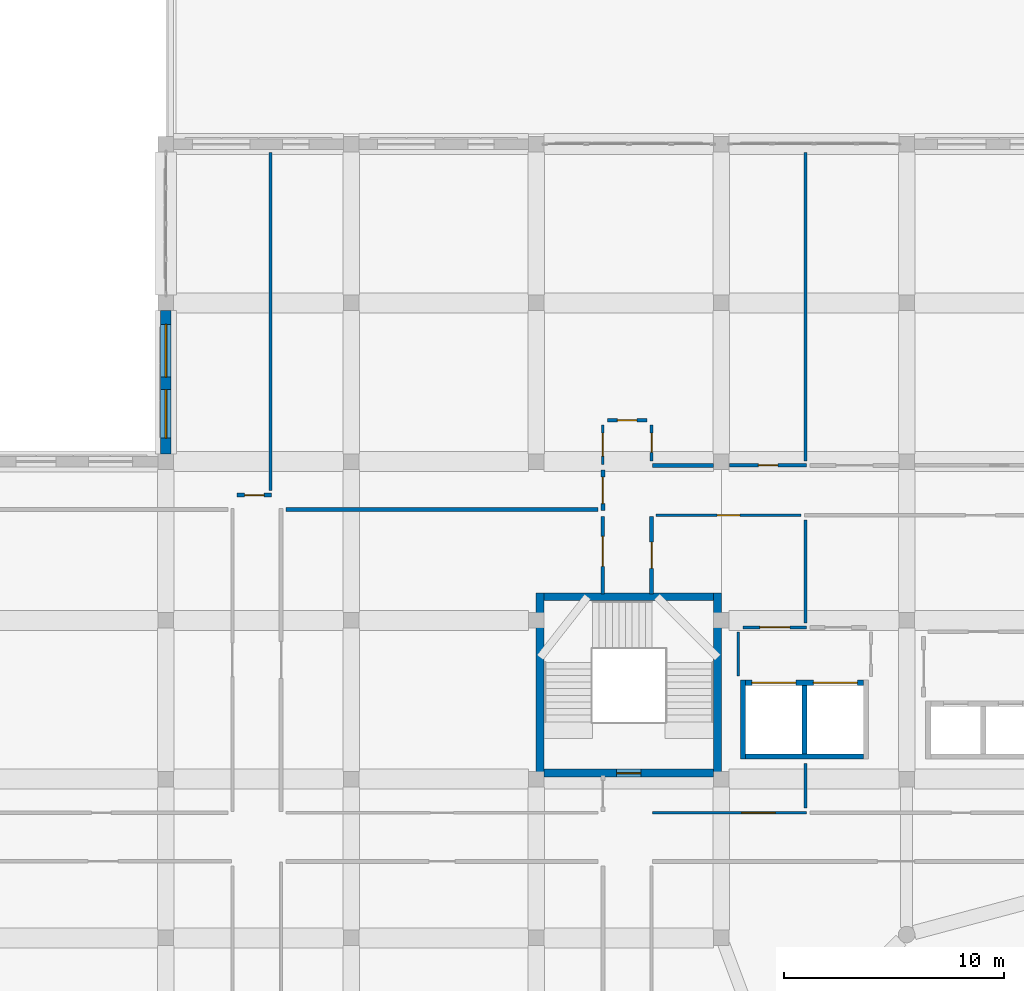
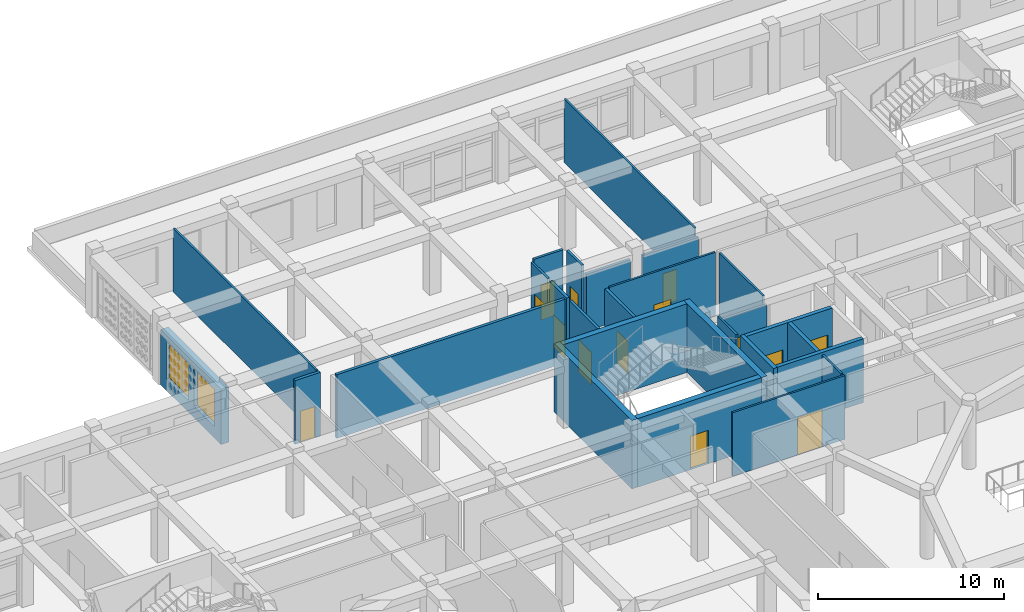
# One storey, part 62 of 100: 27 walls, 14 doors, 2 windows, 16 openings.
"""IFC4 building model written with IfcOpenShell, lengths in metres."""

from ifc_helpers import new_model, si_unit, derived_unit, direction, frame, frame_2d, origin, place, context, subcontext, project, spatial, rectangle, extrude, material, layer, layer_set, type_object, element, fill, save


model = new_model("IFC4")

# Units and contexts
model_context = context("Model", 3, precision=1e-05, world=origin(), true_north=direction((0.0, 1.0)))
body_context = subcontext(model_context, "Body", "Model", "MODEL_VIEW")
ifc_project = project(units=[si_unit("LENGTHUNIT", "METRE"), si_unit("AREAUNIT", "SQUARE_METRE"), si_unit("VOLUMEUNIT", "CUBIC_METRE"), si_unit("PLANEANGLEUNIT", "RADIAN"), si_unit("MASSUNIT", "GRAM", prefix="KILO"), derived_unit("THERMALTRANSMITTANCEUNIT", [(si_unit("POWERUNIT", "WATT"), 1), (si_unit("LENGTHUNIT", "METRE"), -2), (si_unit("THERMODYNAMICTEMPERATUREUNIT", "KELVIN"), -1)])], contexts=[model_context])

# Site, building, storey
site_placement = place(None, origin())
site = spatial("IfcSite", under=ifc_project, at=site_placement, CompositionType="ELEMENT")
building_placement = place(site_placement, origin())
building = spatial("IfcBuilding", under=site, at=building_placement, Name="Veybourne Emporium", CompositionType="ELEMENT")
storey_placement = place(building_placement, frame((0.0, 0.0, 14.39990234375)))
storey = spatial("IfcBuildingStorey", under=building, at=storey_placement, Name="L03", CompositionType="ELEMENT", Elevation=14.39990234375)

# Wall, openings, windows
ifc_material_1 = material(Name="Portland Limestone Ashlar", Category="masonry")
ifc_layer_1 = layer(ifc_material_1, 0.47998046875)
ifc_layer_set_1 = layer_set([ifc_layer_1], Name="Portland Limestone Ashlar")
wall_type_1 = type_object("IfcWallType", Name="ExtWall_EW-01", PredefinedType="SOLIDWALL", material=ifc_layer_set_1)
wall_1_placement = place(storey_placement, frame((33.60009765625, 86.75, 0.0), z_axis=(0.0, 0.0, 1.0), x_axis=(0.0, 1.0, 0.0)))
wall_1 = element("IfcWall", 1, at=wall_1_placement, inside=storey, type_object=wall_type_1, Name="L03 Portland stone external wall 022", PredefinedType="SOLIDWALL", context=body_context, shape_type="SweptSolid", body=[
    extrude(rectangle(XDim=6.5, YDim=0.47998046875, at=frame_2d((3.25, 0.0))), origin(), (0.0, 0.0, 1.0), 3.630126953125),
])
opening_1_placement = place(wall_1_placement, frame((0.719970703125, 0.0, 0.75)))
opening_1 = element("IfcOpeningElement", 2, at=opening_1_placement, cuts=wall_1, Name="Opening W-30", PredefinedType="OPENING", context=body_context, shape_type="SweptSolid", body=[
    extrude(rectangle(XDim=2.199951171875, YDim=2.43994140625, at=frame_2d((1.10009765625, 1.219970703125))), frame((0.0, 0.260009765625, 0.0), z_axis=(0.0, -1.0, 0.0), x_axis=(1.0, 0.0, 0.0)), (0.0, 0.0, 1.0), 0.52001953125),
])
opening_2_placement = place(wall_1_placement, frame((3.47998046875, 0.0, 0.75)))
opening_2 = element("IfcOpeningElement", 3, at=opening_2_placement, cuts=wall_1, Name="Opening W-31", PredefinedType="OPENING", context=body_context, shape_type="SweptSolid", body=[
    extrude(rectangle(XDim=2.39990234375, YDim=2.43994140625, at=frame_2d((1.199951171875, 1.219970703125))), frame((0.0, 0.260009765625, 0.0), z_axis=(0.0, -1.0, 0.0), x_axis=(1.0, 0.0, 0.0)), (0.0, 0.0, 1.0), 0.52001953125),
])
ifc_material_2 = material(Name="Low-E Triple Glazing", Category="glass")
window_type_1 = type_object("IfcWindowType", Name="Win_W-30", PartitioningType="TRIPLE_PANEL_VERTICAL", PredefinedType="WINDOW", material=ifc_material_2)
window_1_placement = place(opening_1_placement, origin())
window_1 = element("IfcWindow", 4, at=window_1_placement, inside=storey, type_object=window_type_1, Name="L03 tripartite bronze casement window W-30 (22.1)", OverallHeight=2.43994140625, OverallWidth=2.199951171875, PartitioningType="TRIPLE_PANEL_VERTICAL", PredefinedType="WINDOW", context=body_context, shape_type="SweptSolid", body=[
    extrude(rectangle(XDim=2.199951171875, YDim=2.43994140625, at=frame_2d((1.10009765625, 1.219970703125))), frame((0.0, 0.030029296875, 0.0), z_axis=(0.0, -1.0, 0.0), x_axis=(1.0, 0.0, 0.0)), (0.0, 0.0, 1.0), 0.06005859375),
])
fill(opening_1, window_1)
window_type_2 = type_object("IfcWindowType", Name="Win_W-31", PartitioningType="TRIPLE_PANEL_VERTICAL", PredefinedType="WINDOW", material=ifc_material_2)
window_2_placement = place(opening_2_placement, origin())
window_2 = element("IfcWindow", 5, at=window_2_placement, inside=storey, type_object=window_type_2, Name="L03 tripartite bronze casement window W-31 (22.2)", OverallHeight=2.43994140625, OverallWidth=2.39990234375, PartitioningType="TRIPLE_PANEL_VERTICAL", PredefinedType="WINDOW", context=body_context, shape_type="SweptSolid", body=[
    extrude(rectangle(XDim=2.39990234375, YDim=2.43994140625, at=frame_2d((1.199951171875, 1.219970703125))), frame((0.0, 0.030029296875, 0.0), z_axis=(0.0, -1.0, 0.0), x_axis=(1.0, 0.0, 0.0)), (0.0, 0.0, 1.0), 0.06005859375),
])
fill(opening_2, window_2)

# Wall, opening, door
ifc_material_3 = material(Name="Concrete C40/50", Category="concrete")
ifc_layer_2 = layer(ifc_material_3, 0.35009765625)
ifc_layer_set_2 = layer_set([ifc_layer_2], Name="Concrete C40/50")
wall_type_2 = type_object("IfcWallType", Name="IntWall_CW-02", PredefinedType="SHEAR", material=ifc_layer_set_2)
wall_2_placement = place(storey_placement, frame((58.449951171875, 72.27490234375, 0.0), z_axis=(0.0, 0.0, 1.0), x_axis=(-1.0, 0.0, 0.0)))
wall_2 = element("IfcWall", 6, at=wall_2_placement, inside=storey, type_object=wall_type_2, Name="Core stair ST-03 south shear wall (L03)", PredefinedType="SHEAR", context=body_context, shape_type="SweptSolid", body=[
    extrude(rectangle(XDim=7.699951171875, YDim=0.35009765625, at=frame_2d((3.85009765625, 0.0))), origin(), (0.0, 0.0, 1.0), 4.5),
])
opening_3_placement = place(wall_2_placement, frame((3.300048828125, 0.0, 0.0)))
opening_3 = element("IfcOpeningElement", 7, at=opening_3_placement, cuts=wall_2, Name="Opening FD-01", PredefinedType="OPENING", context=body_context, shape_type="SweptSolid", body=[
    extrude(rectangle(XDim=1.10009765625, YDim=2.199951171875, at=frame_2d((0.550048828125, 1.10009765625))), frame((0.0, 0.195068359375, 0.0), z_axis=(0.0, -1.0, 0.0), x_axis=(1.0, 0.0, 0.0)), (0.0, 0.0, 1.0), 0.39013671875),
])
ifc_material_4 = material(Name="Patinated Architectural Bronze", Category="bronze")
door_type_1 = type_object("IfcDoorType", Name="FireDoor_FD-01", OperationType="NOTDEFINED", PredefinedType="DOOR", material=ifc_material_4)
door_1_placement = place(opening_3_placement, origin())
door_1 = element("IfcDoor", 8, at=door_1_placement, inside=storey, type_object=door_type_1, Name="Stair ST-03 fire door (L03)", OperationType="SINGLE_SWING_RIGHT", OverallHeight=2.199951171875, OverallWidth=1.10009765625, PredefinedType="DOOR", context=body_context, shape_type="SweptSolid", body=[
    extrude(rectangle(XDim=1.10009765625, YDim=2.199951171875, at=frame_2d((0.550048828125, 1.10009765625))), frame((0.0, 0.02490234375, 0.0), z_axis=(0.0, -1.0, 0.0), x_axis=(1.0, 0.0, 0.0)), (0.0, 0.0, 1.0), 0.050048828125),
])
fill(opening_3, door_1)

# Walls
wall_3_placement = place(storey_placement, frame((50.75, 80.27490234375, 0.0), z_axis=(0.0, 0.0, 1.0), x_axis=(1.0, 0.0, 0.0)))
element("IfcWall", 9, at=wall_3_placement, inside=storey, type_object=wall_type_2, Name="Core stair ST-03 north shear wall (L03)", PredefinedType="SHEAR", context=body_context, shape_type="SweptSolid", body=[
    extrude(rectangle(XDim=7.699951171875, YDim=0.35009765625, at=frame_2d((3.85009765625, 0.0))), origin(), (0.0, 0.0, 1.0), 4.5),
])
for number, where, z_axis, x_axis, name in (
    (10, (50.574951171875, 80.449951171875, 0.0), (0.0, 0.0, 1.0), (0.0, -1.0, 0.0), "Core stair ST-03 west shear wall (L03)"),
    (11, (58.625, 72.10009765625, 0.0), (0.0, 0.0, 1.0), (0.0, 1.0, 0.0), "Core stair ST-03 east shear wall (L03)"),
):
    element("IfcWall", number, at=place(storey_placement, frame(where, z_axis=z_axis, x_axis=x_axis)), inside=storey, type_object=wall_type_2, Name=name, PredefinedType="SHEAR", context=body_context, shape_type="SweptSolid", body=[
        extrude(rectangle(XDim=8.349853515625, YDim=0.35009765625, at=frame_2d((4.1748046875, 0.0))), origin(), (0.0, 0.0, 1.0), 4.5),
    ])

# Wall, openings, doors
ifc_layer_3 = layer(ifc_material_3, 0.239990234375)
ifc_layer_set_3 = layer_set([ifc_layer_3], Name="Concrete C40/50")
wall_type_3 = type_object("IfcWallType", Name="IntWall_CW-04", PredefinedType="SHEAR", material=ifc_layer_set_3)
wall_4_placement = place(storey_placement, frame((65.239990234375, 76.3701171875, 0.0), z_axis=(0.0, 0.0, 1.0), x_axis=(-1.0, 0.0, 0.0)))
wall_4 = element("IfcWall", 12, at=wall_4_placement, inside=storey, type_object=wall_type_3, Name="Lift core C4G north shaft wall (L03)", PredefinedType="SHEAR", context=body_context, shape_type="SweptSolid", body=[
    extrude(rectangle(XDim=5.340087890625, YDim=0.239990234375, at=frame_2d((2.669921875, 0.0))), origin(), (0.0, 0.0, 1.0), 4.18017578125),
])
opening_4_placement = place(wall_4_placement, frame((3.06494140625, 0.0, 0.0)))
opening_4 = element("IfcOpeningElement", 13, at=opening_4_placement, cuts=wall_4, Name="Opening LD-03", PredefinedType="OPENING", context=body_context, shape_type="SweptSolid", body=[
    extrude(rectangle(XDim=2.0, YDim=2.5, at=frame_2d((1.0, 1.25))), frame((0.0, 0.14013671875, 0.0), z_axis=(0.0, -1.0, 0.0), x_axis=(1.0, 0.0, 0.0)), (0.0, 0.0, 1.0), 0.280029296875),
])
opening_5_placement = place(wall_4_placement, frame((0.27490234375, 0.0, 0.0)))
opening_5 = element("IfcOpeningElement", 14, at=opening_5_placement, cuts=wall_4, Name="Opening LD-03", PredefinedType="OPENING", context=body_context, shape_type="SweptSolid", body=[
    extrude(rectangle(XDim=2.0, YDim=2.5, at=frame_2d((1.0, 1.25))), frame((0.0, 0.14013671875, 0.0), z_axis=(0.0, -1.0, 0.0), x_axis=(1.0, 0.0, 0.0)), (0.0, 0.0, 1.0), 0.280029296875),
])
door_type_2 = type_object("IfcDoorType", Name="FireDoor_LD-03", OperationType="DOUBLE_DOOR_SLIDING", PredefinedType="DOOR", material=ifc_material_4)
door_2_placement = place(opening_4_placement, origin())
door_2 = element("IfcDoor", 15, at=door_2_placement, inside=storey, type_object=door_type_2, Name="Lift GL-01 sliding landing door (L03)", OperationType="DOUBLE_DOOR_SLIDING", OverallHeight=2.5, OverallWidth=2.0, PredefinedType="DOOR", context=body_context, shape_type="SweptSolid", body=[
    extrude(rectangle(XDim=2.0, YDim=2.5, at=frame_2d((1.0, 1.25))), frame((0.0, 0.02490234375, 0.0), z_axis=(0.0, -1.0, 0.0), x_axis=(1.0, 0.0, 0.0)), (0.0, 0.0, 1.0), 0.050048828125),
])
fill(opening_4, door_2)
door_3_placement = place(opening_5_placement, origin())
door_3 = element("IfcDoor", 16, at=door_3_placement, inside=storey, type_object=door_type_2, Name="Lift GL-02 sliding landing door (L03)", OperationType="DOUBLE_DOOR_SLIDING", OverallHeight=2.5, OverallWidth=2.0, PredefinedType="DOOR", context=body_context, shape_type="SweptSolid", body=[
    extrude(rectangle(XDim=2.0, YDim=2.5, at=frame_2d((1.0, 1.25))), frame((0.0, 0.02490234375, 0.0), z_axis=(0.0, -1.0, 0.0), x_axis=(1.0, 0.0, 0.0)), (0.0, 0.0, 1.0), 0.050048828125),
])
fill(opening_5, door_3)

# Walls
wall_5_placement = place(storey_placement, frame((59.89990234375, 73.030029296875, 0.0), z_axis=(0.0, 0.0, 1.0), x_axis=(1.0, 0.0, 0.0)))
element("IfcWall", 17, at=wall_5_placement, inside=storey, type_object=wall_type_3, Name="Lift core C4G south shaft wall (L03)", PredefinedType="SHEAR", context=body_context, shape_type="SweptSolid", body=[
    extrude(rectangle(XDim=5.340087890625, YDim=0.239990234375, at=frame_2d((2.669921875, 0.0))), origin(), (0.0, 0.0, 1.0), 4.18017578125),
])
wall_6_placement = place(storey_placement, frame((59.780029296875, 76.489990234375, 0.0), z_axis=(0.0, 0.0, 1.0), x_axis=(0.0, -1.0, 0.0)))
element("IfcWall", 18, at=wall_6_placement, inside=storey, type_object=wall_type_3, Name="Lift core C4G west shaft wall (L03)", PredefinedType="SHEAR", context=body_context, shape_type="SweptSolid", body=[
    extrude(rectangle(XDim=3.580078125, YDim=0.239990234375, at=frame_2d((1.7900390625, 0.0))), origin(), (0.0, 0.0, 1.0), 4.18017578125),
])
wall_7_placement = place(storey_placement, frame((62.570068359375, 73.14990234375, 0.0), z_axis=(0.0, 0.0, 1.0), x_axis=(0.0, 1.0, 0.0)))
element("IfcWall", 19, at=wall_7_placement, inside=storey, type_object=wall_type_3, Name="Lift core C4G divider wall 1 (L03)", PredefinedType="SHEAR", context=body_context, shape_type="SweptSolid", body=[
    extrude(rectangle(XDim=3.10009765625, YDim=0.239990234375, at=frame_2d((1.550048828125, 0.0))), origin(), (0.0, 0.0, 1.0), 4.18017578125),
])
ifc_material_5 = material(Name="Gypsum Acoustic Board", Category="gypsum")
ifc_layer_4 = layer(ifc_material_5, 0.179931640625)
ifc_layer_set_4 = layer_set([ifc_layer_4], Name="Gypsum Acoustic Board")
wall_type_4 = type_object("IfcWallType", Name="IntWall_IW-01", PredefinedType="PARTITIONING", material=ifc_layer_set_4)
wall_8_placement = place(storey_placement, frame((55.679931640625, 86.22998046875, 0.0), z_axis=(0.0, 0.0, 1.0), x_axis=(1.0, 0.0, 0.0)))
element("IfcWall", 20, at=wall_8_placement, inside=storey, type_object=wall_type_4, Name="L03 interior partition IW-01 #062", PredefinedType="PARTITIONING", context=body_context, shape_type="SweptSolid", body=[
    extrude(rectangle(XDim=2.75, YDim=0.179931640625, at=frame_2d((1.375, 0.0))), origin(), (0.0, 0.0, 1.0), 3.72998046875),
])

# Wall, opening, door
wall_9_placement = place(storey_placement, frame((55.6298828125, 80.389892578125, 0.0), z_axis=(0.0, 0.0, 1.0), x_axis=(0.0, 1.0, 0.0)))
wall_9 = element("IfcWall", 21, at=wall_9_placement, inside=storey, type_object=wall_type_4, Name="L03 interior partition IW-01 #071", PredefinedType="PARTITIONING", context=body_context, shape_type="SweptSolid", body=[
    extrude(rectangle(XDim=3.530029296875, YDim=0.179931640625, at=frame_2d((1.76513671875, 0.0))), origin(), (0.0, 0.0, 1.0), 4.18017578125),
])
opening_6_placement = place(wall_9_placement, frame((1.1650390625, 0.0, 0.0)))
opening_6 = element("IfcOpeningElement", 22, at=opening_6_placement, cuts=wall_9, Name="Opening D-09", PredefinedType="OPENING", context=body_context, shape_type="SweptSolid", body=[
    extrude(rectangle(XDim=1.199951171875, YDim=2.1298828125, at=frame_2d((0.60009765625, 1.06494140625))), frame((0.0, 0.10986328125, 0.0), z_axis=(0.0, -1.0, 0.0), x_axis=(1.0, 0.0, 0.0)), (0.0, 0.0, 1.0), 0.219970703125),
])
ifc_material_6 = material(Name="European Oak Veneer and Bronze", Category="wood")
door_type_3 = type_object("IfcDoorType", Name="IntDoor_D-09", OperationType="NOTDEFINED", PredefinedType="DOOR", material=ifc_material_6)
door_4_placement = place(opening_6_placement, origin())
door_4 = element("IfcDoor", 23, at=door_4_placement, inside=storey, type_object=door_type_3, Name="L03 interior door D-09 (PART-L03-071)", OperationType="SINGLE_SWING_LEFT", OverallHeight=2.1298828125, OverallWidth=1.199951171875, PredefinedType="DOOR", context=body_context, shape_type="SweptSolid", body=[
    extrude(rectangle(XDim=1.199951171875, YDim=2.1298828125, at=frame_2d((0.60009765625, 1.06494140625))), frame((0.0, 0.02490234375, 0.0), z_axis=(0.0, -1.0, 0.0), x_axis=(1.0, 0.0, 0.0)), (0.0, 0.0, 1.0), 0.050048828125),
])
fill(opening_6, door_4)

wall_10_placement = place(storey_placement, frame((53.419921875, 84.179931640625, 0.0), z_axis=(0.0, 0.0, 1.0), x_axis=(0.0, 1.0, 0.0)))
wall_10 = element("IfcWall", 24, at=wall_10_placement, inside=storey, type_object=wall_type_4, Name="L03 interior partition IW-01 #107", PredefinedType="PARTITIONING", context=body_context, shape_type="SweptSolid", body=[
    extrude(rectangle(XDim=1.840087890625, YDim=0.179931640625, at=frame_2d((0.919921875, 0.0))), origin(), (0.0, 0.0, 1.0), 4.18017578125),
])
opening_7_placement = place(wall_10_placement, frame((0.320068359375, 0.0, 0.0)))
opening_7 = element("IfcOpeningElement", 25, at=opening_7_placement, cuts=wall_10, Name="Opening D-09", PredefinedType="OPENING", context=body_context, shape_type="SweptSolid", body=[
    extrude(rectangle(XDim=1.199951171875, YDim=2.1298828125, at=frame_2d((0.60009765625, 1.06494140625))), frame((0.0, 0.10986328125, 0.0), z_axis=(0.0, -1.0, 0.0), x_axis=(1.0, 0.0, 0.0)), (0.0, 0.0, 1.0), 0.219970703125),
])
door_5_placement = place(opening_7_placement, origin())
door_5 = element("IfcDoor", 26, at=door_5_placement, inside=storey, type_object=door_type_3, Name="L03 interior door D-09 (PART-L03-107)", OperationType="SINGLE_SWING_RIGHT", OverallHeight=2.1298828125, OverallWidth=1.199951171875, PredefinedType="DOOR", context=body_context, shape_type="SweptSolid", body=[
    extrude(rectangle(XDim=1.199951171875, YDim=2.1298828125, at=frame_2d((0.60009765625, 1.06494140625))), frame((0.0, 0.02490234375, 0.0), z_axis=(0.0, -1.0, 0.0), x_axis=(1.0, 0.0, 0.0)), (0.0, 0.0, 1.0), 0.050048828125),
])
fill(opening_7, door_5)

wall_11_placement = place(storey_placement, frame((36.830078125, 84.8798828125, 0.0), z_axis=(0.0, 0.0, 1.0), x_axis=(1.0, 0.0, 0.0)))
wall_11 = element("IfcWall", 27, at=wall_11_placement, inside=storey, type_object=wall_type_4, Name="L03 interior partition IW-01 #122", PredefinedType="PARTITIONING", context=body_context, shape_type="SweptSolid", body=[
    extrude(rectangle(XDim=1.56787109375, YDim=0.179931640625, at=frame_2d((0.783935546875, 0.0))), origin(), (0.0, 0.0, 1.0), 4.18017578125),
])
opening_8_placement = place(wall_11_placement, frame((0.343994140625, 0.0, 0.0)))
opening_8 = element("IfcOpeningElement", 28, at=opening_8_placement, cuts=wall_11, Name="Opening D-01", PredefinedType="OPENING", context=body_context, shape_type="SweptSolid", body=[
    extrude(rectangle(XDim=0.8798828125, YDim=2.050048828125, at=frame_2d((0.43994140625, 1.02490234375))), frame((0.0, 0.10986328125, 0.0), z_axis=(0.0, -1.0, 0.0), x_axis=(1.0, 0.0, 0.0)), (0.0, 0.0, 1.0), 0.219970703125),
])
door_type_4 = type_object("IfcDoorType", Name="IntDoor_D-01", OperationType="NOTDEFINED", PredefinedType="DOOR", material=ifc_material_6)
door_6_placement = place(opening_8_placement, origin())
door_6 = element("IfcDoor", 29, at=door_6_placement, inside=storey, type_object=door_type_4, Name="L03 interior door D-01 (PART-L03-122)", OperationType="SINGLE_SWING_LEFT", OverallHeight=2.050048828125, OverallWidth=0.8798828125, PredefinedType="DOOR", context=body_context, shape_type="SweptSolid", body=[
    extrude(rectangle(XDim=0.8798828125, YDim=2.050048828125, at=frame_2d((0.43994140625, 1.02490234375))), frame((0.0, 0.02490234375, 0.0), z_axis=(0.0, -1.0, 0.0), x_axis=(1.0, 0.0, 0.0)), (0.0, 0.0, 1.0), 0.050048828125),
])
fill(opening_8, door_6)

# Wall
wall_12_placement = place(storey_placement, frame((39.0400390625, 84.22998046875, 0.0), z_axis=(0.0, 0.0, 1.0), x_axis=(1.0, 0.0, 0.0)))
element("IfcWall", 30, at=wall_12_placement, inside=storey, type_object=wall_type_4, Name="L03 interior partition IW-01 #125", PredefinedType="PARTITIONING", context=body_context, shape_type="SweptSolid", body=[
    extrude(rectangle(XDim=14.169921875, YDim=0.179931640625, at=frame_2d((7.0849609375, 0.0))), origin(), (0.0, 0.0, 1.0), 4.18017578125),
])

# Wall, opening, door
ifc_layer_5 = layer(ifc_material_5, 0.14990234375)
ifc_layer_set_5 = layer_set([ifc_layer_5], Name="Gypsum Acoustic Board")
wall_type_5 = type_object("IfcWallType", Name="IntWall_IW-02", PredefinedType="PARTITIONING", material=ifc_layer_set_5)
wall_13_placement = place(storey_placement, frame((59.169921875, 86.22998046875, 0.0), z_axis=(0.0, 0.0, 1.0), x_axis=(1.0, 0.0, 0.0)))
wall_13 = element("IfcWall", 31, at=wall_13_placement, inside=storey, type_object=wall_type_5, Name="L03 interior partition IW-02 #063", PredefinedType="PARTITIONING", context=body_context, shape_type="SweptSolid", body=[
    extrude(rectangle(XDim=3.4921875, YDim=0.14990234375, at=frame_2d((1.74609375, 0.0))), origin(), (0.0, 0.0, 1.0), 3.72998046875),
])
opening_9_placement = place(wall_13_placement, frame((1.305908203125, 0.0, 0.0)))
opening_9 = element("IfcOpeningElement", 32, at=opening_9_placement, cuts=wall_13, Name="Opening D-01", PredefinedType="OPENING", context=body_context, shape_type="SweptSolid", body=[
    extrude(rectangle(XDim=0.8798828125, YDim=2.050048828125, at=frame_2d((0.43994140625, 1.02490234375))), frame((0.0, 0.094970703125, 0.0), z_axis=(0.0, -1.0, 0.0), x_axis=(1.0, 0.0, 0.0)), (0.0, 0.0, 1.0), 0.18994140625),
])
door_7_placement = place(opening_9_placement, origin())
door_7 = element("IfcDoor", 33, at=door_7_placement, inside=storey, type_object=door_type_4, Name="L03 interior door D-01 (PART-L03-063)", OperationType="SINGLE_SWING_LEFT", OverallHeight=2.050048828125, OverallWidth=0.8798828125, PredefinedType="DOOR", context=body_context, shape_type="SweptSolid", body=[
    extrude(rectangle(XDim=0.8798828125, YDim=2.050048828125, at=frame_2d((0.43994140625, 1.02490234375))), frame((0.0, 0.02490234375, 0.0), z_axis=(0.0, -1.0, 0.0), x_axis=(1.0, 0.0, 0.0)), (0.0, 0.0, 1.0), 0.050048828125),
])
fill(opening_9, door_7)

wall_14_placement = place(storey_placement, frame((53.419921875, 80.389892578125, 0.0), z_axis=(0.0, 0.0, 1.0), x_axis=(0.0, 1.0, 0.0)))
wall_14 = element("IfcWall", 34, at=wall_14_placement, inside=storey, type_object=wall_type_5, Name="L03 interior partition IW-02 #072", PredefinedType="PARTITIONING", context=body_context, shape_type="SweptSolid", body=[
    extrude(rectangle(XDim=3.530029296875, YDim=0.14990234375, at=frame_2d((1.76513671875, 0.0))), origin(), (0.0, 0.0, 1.0), 4.18017578125),
])
opening_10_placement = place(wall_14_placement, frame((1.258544921875, 0.0, 0.0)))
opening_10 = element("IfcOpeningElement", 35, at=opening_10_placement, cuts=wall_14, Name="Opening D-10", PredefinedType="OPENING", context=body_context, shape_type="SweptSolid", body=[
    extrude(rectangle(XDim=1.360107421875, YDim=2.1298828125, at=frame_2d((0.68017578125, 1.06494140625))), frame((0.0, 0.094970703125, 0.0), z_axis=(0.0, -1.0, 0.0), x_axis=(1.0, 0.0, 0.0)), (0.0, 0.0, 1.0), 0.18994140625),
])
door_type_5 = type_object("IfcDoorType", Name="IntDoor_D-10", OperationType="NOTDEFINED", PredefinedType="DOOR", material=ifc_material_6)
door_8_placement = place(opening_10_placement, origin())
door_8 = element("IfcDoor", 36, at=door_8_placement, inside=storey, type_object=door_type_5, Name="L03 interior door D-10 (PART-L03-072)", OperationType="SINGLE_SWING_RIGHT", OverallHeight=2.1298828125, OverallWidth=1.360107421875, PredefinedType="DOOR", context=body_context, shape_type="SweptSolid", body=[
    extrude(rectangle(XDim=1.360107421875, YDim=2.1298828125, at=frame_2d((0.68017578125, 1.06494140625))), frame((0.0, 0.02490234375, 0.0), z_axis=(0.0, -1.0, 0.0), x_axis=(1.0, 0.0, 0.0)), (0.0, 0.0, 1.0), 0.050048828125),
])
fill(opening_10, door_8)

wall_15_placement = place(storey_placement, frame((59.780029296875, 78.8798828125, 0.0), z_axis=(0.0, 0.0, 1.0), x_axis=(1.0, 0.0, 0.0)))
wall_15 = element("IfcWall", 37, at=wall_15_placement, inside=storey, type_object=wall_type_5, Name="L03 interior partition IW-02 #078", PredefinedType="PARTITIONING", context=body_context, shape_type="SweptSolid", body=[
    extrude(rectangle(XDim=2.882080078125, YDim=0.14990234375, at=frame_2d((1.44091796875, 0.0))), origin(), (0.0, 0.0, 1.0), 3.72998046875),
])
opening_11_placement = place(wall_15_placement, frame((0.760986328125, 0.0, 0.0)))
opening_11 = element("IfcOpeningElement", 38, at=opening_11_placement, cuts=wall_15, Name="Opening D-16", PredefinedType="OPENING", context=body_context, shape_type="SweptSolid", body=[
    extrude(rectangle(XDim=1.360107421875, YDim=2.2099609375, at=frame_2d((0.68017578125, 1.10498046875))), frame((0.0, 0.094970703125, 0.0), z_axis=(0.0, -1.0, 0.0), x_axis=(1.0, 0.0, 0.0)), (0.0, 0.0, 1.0), 0.18994140625),
])
door_type_6 = type_object("IfcDoorType", Name="IntDoor_D-16", OperationType="NOTDEFINED", PredefinedType="DOOR", material=ifc_material_6)
door_9_placement = place(opening_11_placement, origin())
door_9 = element("IfcDoor", 39, at=door_9_placement, inside=storey, type_object=door_type_6, Name="L03 interior door D-16 (PART-L03-078)", OperationType="SINGLE_SWING_RIGHT", OverallHeight=2.2099609375, OverallWidth=1.360107421875, PredefinedType="DOOR", context=body_context, shape_type="SweptSolid", body=[
    extrude(rectangle(XDim=1.360107421875, YDim=2.2099609375, at=frame_2d((0.68017578125, 1.10498046875))), frame((0.0, 0.02490234375, 0.0), z_axis=(0.0, -1.0, 0.0), x_axis=(1.0, 0.0, 0.0)), (0.0, 0.0, 1.0), 0.050048828125),
])
fill(opening_11, door_9)

wall_16_placement = place(storey_placement, frame((53.6298828125, 88.280029296875, 0.0), z_axis=(0.0, 0.0, 1.0), x_axis=(1.0, 0.0, 0.0)))
wall_16 = element("IfcWall", 40, at=wall_16_placement, inside=storey, type_object=wall_type_5, Name="L03 interior partition IW-02 #117", PredefinedType="PARTITIONING", context=body_context, shape_type="SweptSolid", body=[
    extrude(rectangle(XDim=1.7900390625, YDim=0.14990234375, at=frame_2d((0.89501953125, 0.0))), origin(), (0.0, 0.0, 1.0), 4.18017578125),
])
opening_12_placement = place(wall_16_placement, frame((0.455078125, 0.0, 0.0)))
opening_12 = element("IfcOpeningElement", 41, at=opening_12_placement, cuts=wall_16, Name="Opening D-19", PredefinedType="OPENING", context=body_context, shape_type="SweptSolid", body=[
    extrude(rectangle(XDim=0.8798828125, YDim=2.2900390625, at=frame_2d((0.43994140625, 1.14501953125))), frame((0.0, 0.094970703125, 0.0), z_axis=(0.0, -1.0, 0.0), x_axis=(1.0, 0.0, 0.0)), (0.0, 0.0, 1.0), 0.18994140625),
])
door_type_7 = type_object("IfcDoorType", Name="IntDoor_D-19", OperationType="NOTDEFINED", PredefinedType="DOOR", material=ifc_material_6)
door_10_placement = place(opening_12_placement, origin())
door_10 = element("IfcDoor", 42, at=door_10_placement, inside=storey, type_object=door_type_7, Name="L03 interior door D-19 (PART-L03-117)", OperationType="SINGLE_SWING_RIGHT", OverallHeight=2.2900390625, OverallWidth=0.8798828125, PredefinedType="DOOR", context=body_context, shape_type="SweptSolid", body=[
    extrude(rectangle(XDim=0.8798828125, YDim=2.2900390625, at=frame_2d((0.43994140625, 1.14501953125))), frame((0.0, 0.02490234375, 0.0), z_axis=(0.0, -1.0, 0.0), x_axis=(1.0, 0.0, 0.0)), (0.0, 0.0, 1.0), 0.050048828125),
])
fill(opening_12, door_10)

wall_17_placement = place(storey_placement, frame((55.6298828125, 86.43994140625, 0.0), z_axis=(0.0, 0.0, 1.0), x_axis=(0.0, 1.0, 0.0)))
wall_17 = element("IfcWall", 43, at=wall_17_placement, inside=storey, type_object=wall_type_5, Name="L03 interior partition IW-02 #120", PredefinedType="PARTITIONING", context=body_context, shape_type="SweptSolid", body=[
    extrude(rectangle(XDim=1.630126953125, YDim=0.14990234375, at=frame_2d((0.81494140625, 0.0))), origin(), (0.0, 0.0, 1.0), 4.18017578125),
])
opening_13_placement = place(wall_17_placement, frame((0.375, 0.0, 0.0)))
opening_13 = element("IfcOpeningElement", 44, at=opening_13_placement, cuts=wall_17, Name="Opening D-01", PredefinedType="OPENING", context=body_context, shape_type="SweptSolid", body=[
    extrude(rectangle(XDim=0.8798828125, YDim=2.050048828125, at=frame_2d((0.43994140625, 1.02490234375))), frame((0.0, 0.094970703125, 0.0), z_axis=(0.0, -1.0, 0.0), x_axis=(1.0, 0.0, 0.0)), (0.0, 0.0, 1.0), 0.18994140625),
])
door_11_placement = place(opening_13_placement, origin())
door_11 = element("IfcDoor", 45, at=door_11_placement, inside=storey, type_object=door_type_4, Name="L03 interior door D-01 (PART-L03-120)", OperationType="SINGLE_SWING_LEFT", OverallHeight=2.050048828125, OverallWidth=0.8798828125, PredefinedType="DOOR", context=body_context, shape_type="SweptSolid", body=[
    extrude(rectangle(XDim=0.8798828125, YDim=2.050048828125, at=frame_2d((0.43994140625, 1.02490234375))), frame((0.0, 0.02490234375, 0.0), z_axis=(0.0, -1.0, 0.0), x_axis=(1.0, 0.0, 0.0)), (0.0, 0.0, 1.0), 0.050048828125),
])
fill(opening_13, door_11)

ifc_layer_6 = layer(ifc_material_5, 0.1201171875)
ifc_layer_set_6 = layer_set([ifc_layer_6], Name="Gypsum Acoustic Board")
wall_type_6 = type_object("IfcWallType", Name="IntWall_IW-03", PredefinedType="PARTITIONING", material=ifc_layer_set_6)
wall_18_placement = place(storey_placement, frame((55.679931640625, 70.47998046875, 0.0), z_axis=(0.0, 0.0, 1.0), x_axis=(1.0, 0.0, 0.0)))
wall_18 = element("IfcWall", 46, at=wall_18_placement, inside=storey, type_object=wall_type_6, Name="L03 interior partition IW-03 #061", PredefinedType="PARTITIONING", context=body_context, shape_type="SweptSolid", body=[
    extrude(rectangle(XDim=6.982177734375, YDim=0.1201171875, at=frame_2d((3.4912109375, 0.0))), origin(), (0.0, 0.0, 1.0), 4.18017578125),
])
opening_14_placement = place(wall_18_placement, frame((4.0419921875, 0.0, 0.0)))
opening_14 = element("IfcOpeningElement", 47, at=opening_14_placement, cuts=wall_18, Name="Opening D-35", PredefinedType="OPENING", context=body_context, shape_type="SweptSolid", body=[
    extrude(rectangle(XDim=1.52001953125, YDim=2.449951171875, at=frame_2d((0.760009765625, 1.22509765625))), frame((0.0, 0.080078125, 0.0), z_axis=(0.0, -1.0, 0.0), x_axis=(1.0, 0.0, 0.0)), (0.0, 0.0, 1.0), 0.16015625),
])
door_type_8 = type_object("IfcDoorType", Name="IntDoor_D-35", OperationType="NOTDEFINED", PredefinedType="DOOR", material=ifc_material_6)
door_12_placement = place(opening_14_placement, origin())
door_12 = element("IfcDoor", 48, at=door_12_placement, inside=storey, type_object=door_type_8, Name="L03 interior door D-35 (PART-L03-061)", OperationType="SINGLE_SWING_RIGHT", OverallHeight=2.449951171875, OverallWidth=1.52001953125, PredefinedType="DOOR", context=body_context, shape_type="SweptSolid", body=[
    extrude(rectangle(XDim=1.52001953125, YDim=2.449951171875, at=frame_2d((0.760009765625, 1.22509765625))), frame((0.0, 0.02490234375, 0.0), z_axis=(0.0, -1.0, 0.0), x_axis=(1.0, 0.0, 0.0)), (0.0, 0.0, 1.0), 0.050048828125),
])
fill(opening_14, door_12)

wall_19_placement = place(storey_placement, frame((55.840087890625, 83.969970703125, 0.0), z_axis=(0.0, 0.0, 1.0), x_axis=(1.0, 0.0, 0.0)))
wall_19 = element("IfcWall", 49, at=wall_19_placement, inside=storey, type_object=wall_type_6, Name="L03 interior partition IW-03 #064", PredefinedType="PARTITIONING", context=body_context, shape_type="SweptSolid", body=[
    extrude(rectangle(XDim=6.56201171875, YDim=0.1201171875, at=frame_2d((3.281005859375, 0.0))), origin(), (0.0, 0.0, 1.0), 4.18017578125),
])
opening_15_placement = place(wall_19_placement, frame((2.760986328125, 0.0, 0.0)))
opening_15 = element("IfcOpeningElement", 50, at=opening_15_placement, cuts=wall_19, Name="Opening D-02", PredefinedType="OPENING", context=body_context, shape_type="SweptSolid", body=[
    extrude(rectangle(XDim=1.0400390625, YDim=2.050048828125, at=frame_2d((0.52001953125, 1.02490234375))), frame((0.0, 0.080078125, 0.0), z_axis=(0.0, -1.0, 0.0), x_axis=(1.0, 0.0, 0.0)), (0.0, 0.0, 1.0), 0.16015625),
])
door_type_9 = type_object("IfcDoorType", Name="IntDoor_D-02", OperationType="NOTDEFINED", PredefinedType="DOOR", material=ifc_material_6)
door_13_placement = place(opening_15_placement, origin())
door_13 = element("IfcDoor", 51, at=door_13_placement, inside=storey, type_object=door_type_9, Name="L03 interior door D-02 (PART-L03-064)", OperationType="SINGLE_SWING_RIGHT", OverallHeight=2.050048828125, OverallWidth=1.0400390625, PredefinedType="DOOR", context=body_context, shape_type="SweptSolid", body=[
    extrude(rectangle(XDim=1.0400390625, YDim=2.050048828125, at=frame_2d((0.52001953125, 1.02490234375))), frame((0.0, 0.02490234375, 0.0), z_axis=(0.0, -1.0, 0.0), x_axis=(1.0, 0.0, 0.0)), (0.0, 0.0, 1.0), 0.050048828125),
])
fill(opening_15, door_13)

# Wall
wall_20_placement = place(storey_placement, frame((59.570068359375, 76.672119140625, 0.0), z_axis=(0.0, 0.0, 1.0), x_axis=(0.0, 1.0, 0.0)))
element("IfcWall", 52, at=wall_20_placement, inside=storey, type_object=wall_type_6, Name="L03 interior partition IW-03 #100", PredefinedType="PARTITIONING", context=body_context, shape_type="SweptSolid", body=[
    extrude(rectangle(XDim=1.997802734375, YDim=0.1201171875, at=frame_2d((0.9990234375, 0.0))), origin(), (0.0, 0.0, 1.0), 4.18017578125),
])

# Wall, opening, door
wall_21_placement = place(storey_placement, frame((53.419921875, 86.280029296875, 0.0), z_axis=(0.0, 0.0, 1.0), x_axis=(0.0, 1.0, 0.0)))
wall_21 = element("IfcWall", 53, at=wall_21_placement, inside=storey, type_object=wall_type_6, Name="L03 interior partition IW-03 #118", PredefinedType="PARTITIONING", context=body_context, shape_type="SweptSolid", body=[
    extrude(rectangle(XDim=1.7900390625, YDim=0.1201171875, at=frame_2d((0.89501953125, 0.0))), origin(), (0.0, 0.0, 1.0), 4.18017578125),
])
opening_16_placement = place(wall_21_placement, frame((0.375, 0.0, 0.0)))
opening_16 = element("IfcOpeningElement", 54, at=opening_16_placement, cuts=wall_21, Name="Opening D-20", PredefinedType="OPENING", context=body_context, shape_type="SweptSolid", body=[
    extrude(rectangle(XDim=1.0400390625, YDim=2.2900390625, at=frame_2d((0.52001953125, 1.14501953125))), frame((0.0, 0.080078125, 0.0), z_axis=(0.0, -1.0, 0.0), x_axis=(1.0, 0.0, 0.0)), (0.0, 0.0, 1.0), 0.16015625),
])
door_type_10 = type_object("IfcDoorType", Name="IntDoor_D-20", OperationType="NOTDEFINED", PredefinedType="DOOR", material=ifc_material_6)
door_14_placement = place(opening_16_placement, origin())
door_14 = element("IfcDoor", 55, at=door_14_placement, inside=storey, type_object=door_type_10, Name="L03 interior door D-20 (PART-L03-118)", OperationType="SINGLE_SWING_LEFT", OverallHeight=2.2900390625, OverallWidth=1.0400390625, PredefinedType="DOOR", context=body_context, shape_type="SweptSolid", body=[
    extrude(rectangle(XDim=1.0400390625, YDim=2.2900390625, at=frame_2d((0.52001953125, 1.14501953125))), frame((0.0, 0.02490234375, 0.0), z_axis=(0.0, -1.0, 0.0), x_axis=(1.0, 0.0, 0.0)), (0.0, 0.0, 1.0), 0.050048828125),
])
fill(opening_16, door_14)

# Walls
wall_22_placement = place(storey_placement, frame((38.347900390625, 85.090087890625, 0.0), z_axis=(0.0, 0.0, 1.0), x_axis=(0.0, 1.0, 0.0)))
element("IfcWall", 56, at=wall_22_placement, inside=storey, type_object=wall_type_6, Name="L03 interior partition IW-03 #124", PredefinedType="PARTITIONING", context=body_context, shape_type="SweptSolid", body=[
    extrude(rectangle(XDim=15.33984375, YDim=0.1201171875, at=frame_2d((7.669921875, 0.0))), origin(), (0.0, 0.0, 1.0), 4.18017578125),
])
wall_23_placement = place(storey_placement, frame((62.612060546875, 86.43994140625, 0.0), z_axis=(0.0, 0.0, 1.0), x_axis=(0.0, 1.0, 0.0)))
element("IfcWall", 57, at=wall_23_placement, inside=storey, type_object=wall_type_6, Name="L03 interior partition IW-03 #127", PredefinedType="PARTITIONING", context=body_context, shape_type="SweptSolid", body=[
    extrude(rectangle(XDim=13.989990234375, YDim=0.1201171875, at=frame_2d((6.9951171875, 0.0))), origin(), (0.0, 0.0, 1.0), 4.18017578125),
])
wall_24_placement = place(storey_placement, frame((62.612060546875, 79.090087890625, 0.0), z_axis=(0.0, 0.0, 1.0), x_axis=(0.0, 1.0, 0.0)))
element("IfcWall", 58, at=wall_24_placement, inside=storey, type_object=wall_type_6, Name="L03 interior partition IW-03 #139", PredefinedType="PARTITIONING", context=body_context, shape_type="SweptSolid", body=[
    extrude(rectangle(XDim=4.669921875, YDim=0.1201171875, at=frame_2d((2.3349609375, 0.0))), origin(), (0.0, 0.0, 1.0), 4.18017578125),
])
wall_25_placement = place(storey_placement, frame((62.612060546875, 70.68994140625, 0.0), z_axis=(0.0, 0.0, 1.0), x_axis=(0.0, 1.0, 0.0)))
element("IfcWall", 59, at=wall_25_placement, inside=storey, type_object=wall_type_6, Name="L03 interior partition IW-03 #154", PredefinedType="PARTITIONING", context=body_context, shape_type="SweptSolid", body=[
    extrude(rectangle(XDim=2.010009765625, YDim=0.1201171875, at=frame_2d((1.0048828125, 0.0))), origin(), (0.0, 0.0, 1.0), 4.18017578125),
])

save(model, "model.ifc")
